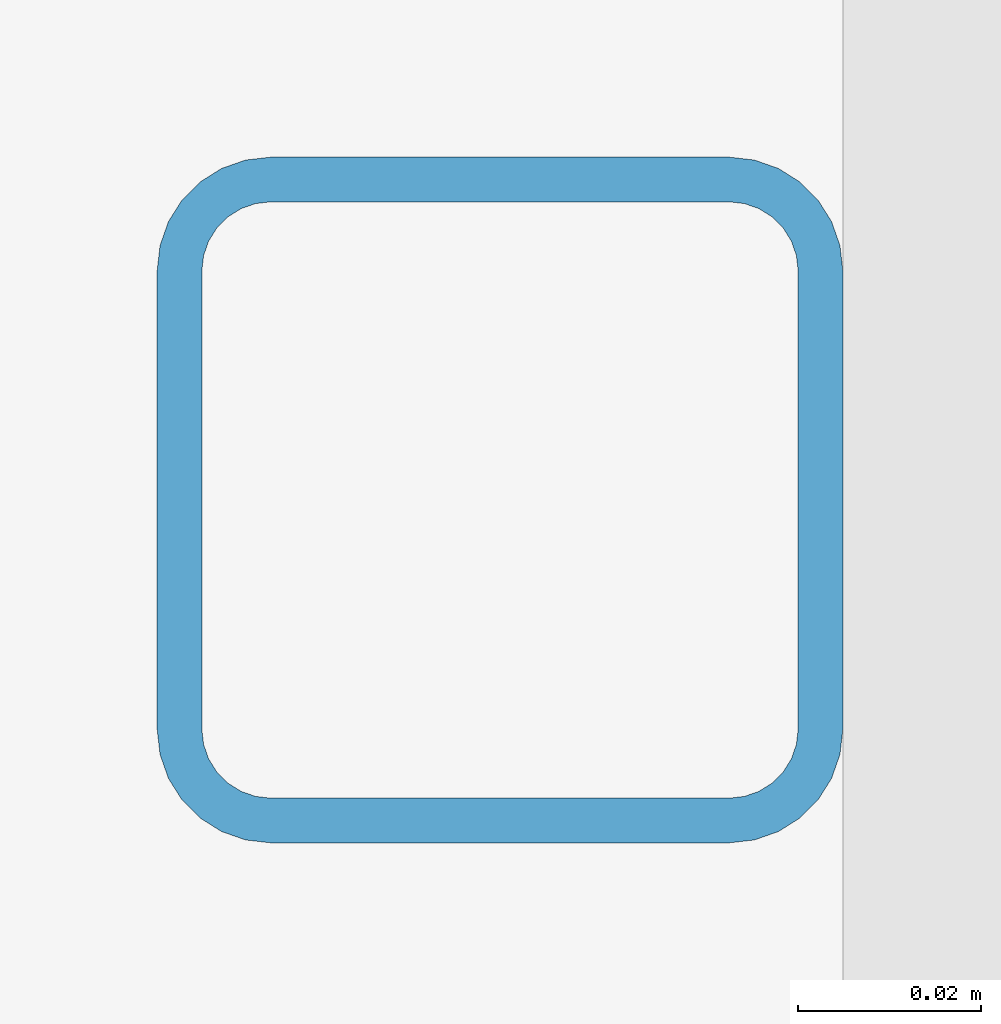
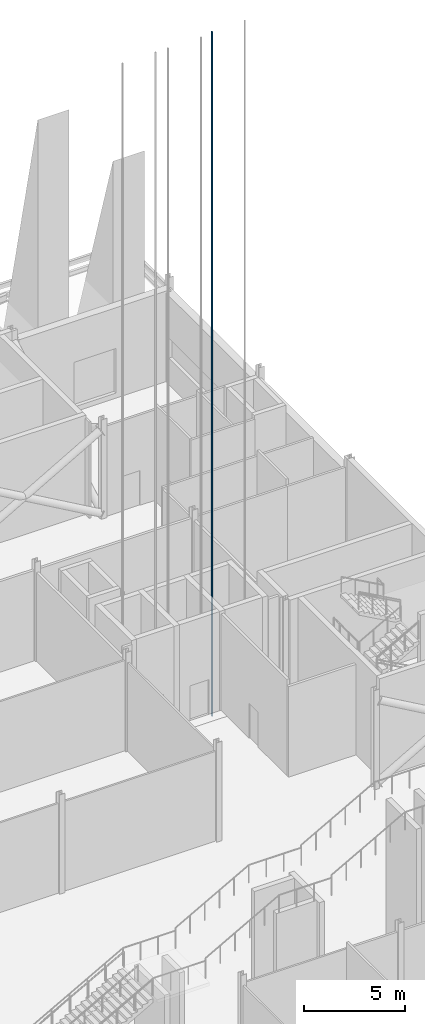
# One storey, part 66 of 139: 1 member.
"""IFC4 building model written with IfcOpenShell, lengths in metres."""

from ifc_helpers import new_model, si_unit, direction, frame, origin, origin_2d, place, context, subcontext, project, spatial, hollow_rectangle, extrude, material, material_profile, profile_set, type_object, element, save


model = new_model("IFC4")

# Units and contexts
model_context = context("Model", 3, precision=1e-05, world=origin(), true_north=direction((0.0, 1.0)))
body_context = subcontext(model_context, "Body", "Model", "MODEL_VIEW")
ifc_project = project(units=[si_unit("LENGTHUNIT", "METRE"), si_unit("AREAUNIT", "SQUARE_METRE"), si_unit("VOLUMEUNIT", "CUBIC_METRE"), si_unit("PLANEANGLEUNIT", "RADIAN"), si_unit("MASSUNIT", "GRAM", prefix="KILO")], contexts=[model_context])

# Site, building, storey
site_placement = place(None, origin())
site = spatial("IfcSite", under=ifc_project, at=site_placement, CompositionType="ELEMENT")
building_placement = place(site_placement, origin())
building = spatial("IfcBuilding", under=site, at=building_placement, Name="Shorebreak Coast Museum", CompositionType="ELEMENT")
storey_placement = place(building_placement, origin())
storey = spatial("IfcBuildingStorey", under=building, at=storey_placement, Name="L00", CompositionType="ELEMENT", Elevation=0.0)

# Member
ifc_material = material(Name="Steel Grade C450L0", Category="steel")
ifc_material_profile = material_profile(ifc_material, hollow_rectangle(XDim=0.074951171875, YDim=0.074951171875, WallThickness=0.0048828125, InnerFilletRadius=0.007568359375, OuterFilletRadius=0.012451171875, at=origin_2d()), Name="75x75x5.0 SHS")
ifc_profile_set = profile_set([ifc_material_profile], Name="Steel Grade C450L0")
member_type = type_object("IfcMemberType", Name="Lift guide rail 75x75x5.0 SHS", PredefinedType="POST", material=ifc_profile_set)
member_placement = place(storey_placement, frame((105.16259765625, 92.25, -1.5), z_axis=(0.0, 0.0, 1.0), x_axis=(1.0, 0.0, 0.0)))
element("IfcMember", 1, at=member_placement, inside=storey, type_object=member_type, Name="Firefighting Lift FL2 guide rail", PredefinedType="POST", context=body_context, shape_type="SweptSolid", body=[
    extrude(hollow_rectangle(XDim=0.074951171875, YDim=0.074951171875, WallThickness=0.0048828125, InnerFilletRadius=0.007568359375, OuterFilletRadius=0.012451171875, at=origin_2d()), origin(), (0.0, 0.0, 1.0), 41.39990234375),
])

save(model, "model.ifc")
